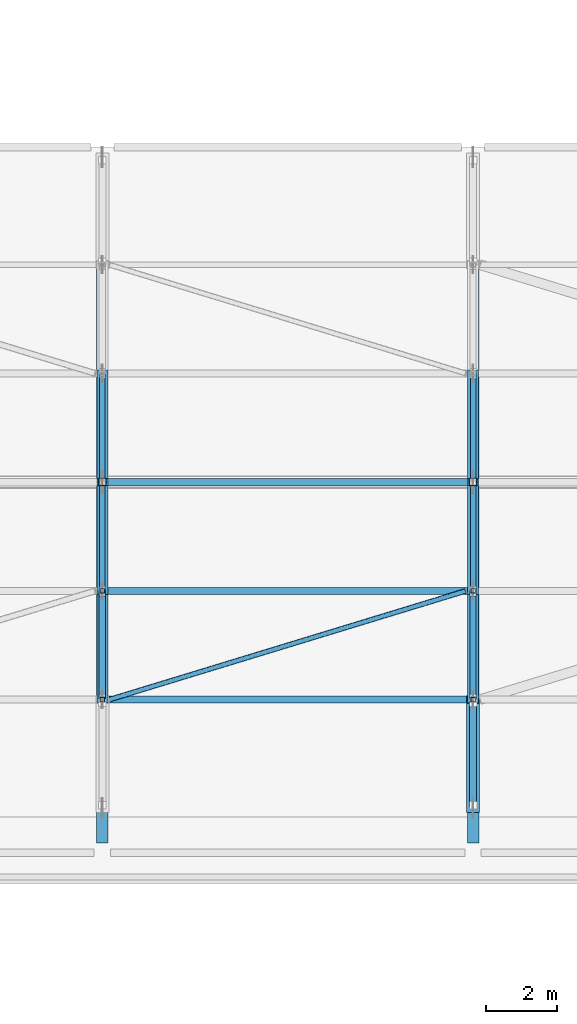
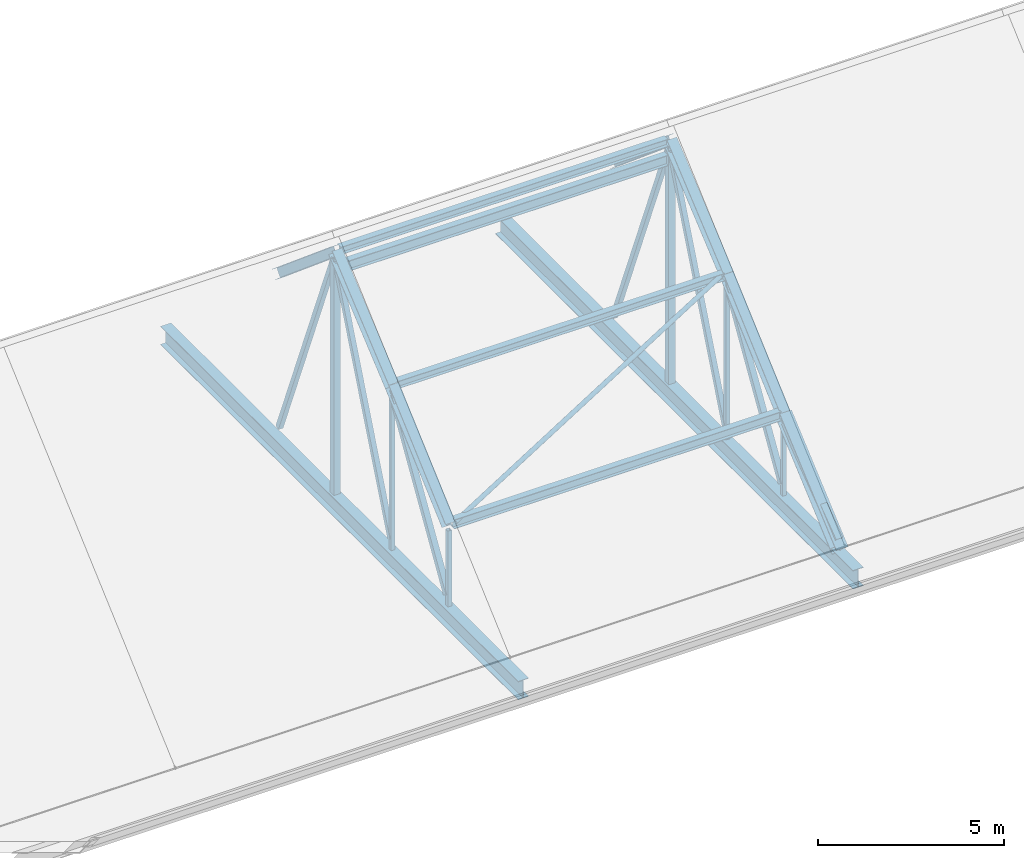
# One storey, part 18 of 86: 22 members, 5 beams.
"""IFC4 building model written with IfcOpenShell, lengths in metres."""

from ifc_helpers import new_model, si_unit, derived_unit, direction, frame, origin, origin_2d, place, context, subcontext, project, spatial, hollow_rectangle, hollow_circle, i_section, extrude, material, material_profile, profile_set, type_object, element, save


model = new_model("IFC4")

# Units and contexts
model_context = context("Model", 3, precision=1e-05, world=origin(), true_north=direction((0.0, 1.0)))
body_context = subcontext(model_context, "Body", "Model", "MODEL_VIEW")
ifc_project = project(units=[si_unit("LENGTHUNIT", "METRE"), si_unit("AREAUNIT", "SQUARE_METRE"), si_unit("VOLUMEUNIT", "CUBIC_METRE"), si_unit("PLANEANGLEUNIT", "RADIAN"), si_unit("MASSUNIT", "GRAM", prefix="KILO"), derived_unit("THERMALTRANSMITTANCEUNIT", [(si_unit("POWERUNIT", "WATT"), 1), (si_unit("LENGTHUNIT", "METRE"), -2), (si_unit("THERMODYNAMICTEMPERATUREUNIT", "KELVIN"), -1)])], contexts=[model_context])

# Site, building, storey
site_placement = place(None, origin())
site = spatial("IfcSite", under=ifc_project, at=site_placement, CompositionType="ELEMENT")
building_placement = place(site_placement, origin())
building = spatial("IfcBuilding", under=site, at=building_placement, Name="Braskholm Square Health Centre", CompositionType="ELEMENT")
storey_placement = place(building_placement, frame((0.0, 0.0, 13.5)))
storey = spatial("IfcBuildingStorey", under=building, at=storey_placement, Name="L04", CompositionType="ELEMENT", Elevation=13.5)

# Beams
ifc_material_1 = material(Name="Steel ASTM A992 Grade 50", Category="steel")
ifc_material_profile_1 = material_profile(ifc_material_1, i_section(OverallWidth=0.201904296875, OverallDepth=0.2470703125, WebThickness=0.00732421875, FlangeThickness=0.010986328125, at=origin_2d()), Name="W10X33")
ifc_profile_set_1 = profile_set([ifc_material_profile_1], Name="Steel ASTM A992 Grade 50")
beam_type_1 = type_object("IfcBeamType", Name="RoofPurlinJoistW10X33", PredefinedType="JOIST", material=ifc_profile_set_1)
for number, where, z_axis, x_axis, name in (
    (1, (68.52001953125, 94.550048828125, 5.12109375), (1.0, 0.0, 0.0), (0.0, 1.0, 0.0), "ROOF TRUSS purlin joist 012"),
    (2, (68.52001953125, 97.60009765625, 7.679931640625), (1.0, 0.0, 0.0), (0.0, 1.0, 0.0), "ROOF TRUSS purlin joist 013"),
):
    element("IfcBeam", number, at=place(storey_placement, frame(where, z_axis=z_axis, x_axis=x_axis)), inside=storey, type_object=beam_type_1, Name=name, PredefinedType="JOIST", context=body_context, shape_type="SweptSolid", body=[
        extrude(i_section(OverallWidth=0.201904296875, OverallDepth=0.2470703125, WebThickness=0.00732421875, FlangeThickness=0.010986328125, at=origin_2d()), origin(), (0.0, 0.0, 1.0), 10.159912109375),
    ])
ifc_material_profile_2 = material_profile(ifc_material_1, i_section(OverallWidth=0.202880859375, OverallDepth=0.302978515625, WebThickness=0.007568359375, FlangeThickness=0.01318359375, at=origin_2d()), Name="W12X40")
ifc_profile_set_2 = profile_set([ifc_material_profile_2], Name="Steel ASTM A992 Grade 50")
beam_type_2 = type_object("IfcBeamType", Name="RoofPurlinJoistW12X40", PredefinedType="JOIST", material=ifc_profile_set_2)
beam_placement = place(storey_placement, frame((68.52001953125, 91.5, 2.402099609375), z_axis=(1.0, 0.0, 0.0), x_axis=(0.0, 1.0, 0.0)))
element("IfcBeam", 3, at=beam_placement, inside=storey, type_object=beam_type_2, Name="ROOF TRUSS purlin joist 011", PredefinedType="JOIST", context=body_context, shape_type="SweptSolid", body=[
    extrude(i_section(OverallWidth=0.202880859375, OverallDepth=0.302978515625, WebThickness=0.007568359375, FlangeThickness=0.01318359375, at=origin_2d()), origin(), (0.0, 0.0, 1.0), 10.159912109375),
])

# Member
ifc_material_2 = material(Name="Steel ASTM A500 Grade C", Category="steel")
ifc_material_profile_3 = material_profile(ifc_material_2, hollow_circle(Radius=0.070556640625, WallThickness=0.006103515625, at=origin_2d()), Name="HSS5.563X0.258")
ifc_profile_set_3 = profile_set([ifc_material_profile_3], Name="Steel ASTM A500 Grade C")
member_type_1 = type_object("IfcMemberType", Name="RoofSwayBraceCHS141", PredefinedType="BRACE", material=ifc_profile_set_3)
member_1_placement = place(storey_placement, frame((68.60009765625, 91.5, 2.402099609375), z_axis=(0.925704815743, 0.282344488845, 0.251698596995), x_axis=(-0.291736758099, 0.956498648182, 0.0)))
element("IfcMember", 4, at=member_1_placement, inside=storey, type_object=member_type_1, Name="ROOF TRUSS slope brace South Bay 3", PredefinedType="BRACE", context=body_context, shape_type="SweptSolid", body=[
    extrude(hollow_circle(Radius=0.070556640625, WallThickness=0.006103515625, at=origin_2d()), origin(), (0.0, 0.0, 1.0), 10.802490234375),
])

# Beams
ifc_material_profile_4 = material_profile(ifc_material_1, i_section(OverallWidth=0.323974609375, OverallDepth=0.612060546875, WebThickness=0.0126953125, FlangeThickness=0.01904296875, at=origin_2d()), Name="W24X104")
ifc_profile_set_4 = profile_set([ifc_material_profile_4], Name="Steel ASTM A992 Grade 50")
beam_type_3 = type_object("IfcBeamType", Name="SteelGirderHallTieW24X104", PredefinedType="BEAM", material=ifc_profile_set_4)
for number, where, z_axis, x_axis, name in (
    (5, (68.39990234375, 87.47998046875, -0.580078125), (0.0, 1.0, 0.0), (-1.0, 0.0, 0.0), "ROOF TRUSS tie girder TR-03"),
    (6, (78.800048828125, 87.47998046875, -0.580078125), (0.0, 1.0, 0.0), (-1.0, 0.0, 0.0), "ROOF TRUSS tie girder TR-04"),
):
    element("IfcBeam", number, at=place(storey_placement, frame(where, z_axis=z_axis, x_axis=x_axis)), inside=storey, type_object=beam_type_3, Name=name, PredefinedType="BEAM", context=body_context, shape_type="SweptSolid", body=[
        extrude(i_section(OverallWidth=0.323974609375, OverallDepth=0.612060546875, WebThickness=0.0126953125, FlangeThickness=0.01904296875, at=origin_2d()), origin(), (0.0, 0.0, 1.0), 19.239990234375),
    ])

# Members
ifc_material_profile_5 = material_profile(ifc_material_1, i_section(OverallWidth=0.2041015625, OverallDepth=0.35009765625, WebThickness=0.008544921875, FlangeThickness=0.01513671875, at=origin_2d()), Name="W14X48")
ifc_profile_set_5 = profile_set([ifc_material_profile_5], Name="Steel ASTM A992 Grade 50")
member_type_2 = type_object("IfcMemberType", Name="TrussBottomChordW14X48", PredefinedType="CHORD", material=ifc_profile_set_5)
member_2_placement = place(storey_placement, frame((68.52001953125, 97.60009765625, 7.10009765625), z_axis=(1.0, 0.0, 0.0), x_axis=(0.0, 1.0, 0.0)))
element("IfcMember", 7, at=member_2_placement, inside=storey, type_object=member_type_2, Name="ROOF TRUSS ridge tie strut Bay 3", PredefinedType="CHORD", context=body_context, shape_type="SweptSolid", body=[
    extrude(i_section(OverallWidth=0.2041015625, OverallDepth=0.35009765625, WebThickness=0.008544921875, FlangeThickness=0.01513671875, at=origin_2d()), origin(), (0.0, 0.0, 1.0), 10.159912109375),
])
ifc_material_profile_6 = material_profile(ifc_material_2, hollow_rectangle(XDim=0.15234375, YDim=0.15234375, WallThickness=0.0087890625, at=origin_2d()), Name="HSS6X6X3/8")
ifc_profile_set_6 = profile_set([ifc_material_profile_6], Name="Steel ASTM A500 Grade C")
member_type_3 = type_object("IfcMemberType", Name="TrussCenterDiagHSS6X6", PredefinedType="BRACE", material=ifc_profile_set_6)
for number, where, z_axis, x_axis, name in (
    (8, (68.39990234375, 94.594970703125, 0.071044921875), (0.0, 0.374971294581, 0.927036422284), (-1.0, 0.0, 0.0), "ROOF TRUSS diagonal web TR-03-D3"),
    (9, (68.39990234375, 100.60498046875, 0.071044921875), (0.0, -0.374971294581, 0.927036422284), (1.0, 0.0, 0.0), "ROOF TRUSS diagonal web TR-03-D4"),
    (10, (78.800048828125, 94.594970703125, 0.071044921875), (0.0, 0.374971294581, 0.927036422284), (-1.0, 0.0, 0.0), "ROOF TRUSS diagonal web TR-04-D3"),
    (11, (78.800048828125, 100.60498046875, 0.071044921875), (0.0, -0.374971294581, 0.927036422284), (1.0, 0.0, 0.0), "ROOF TRUSS diagonal web TR-04-D4"),
):
    element("IfcMember", number, at=place(storey_placement, frame(where, z_axis=z_axis, x_axis=x_axis)), inside=storey, type_object=member_type_3, Name=name, PredefinedType="BRACE", context=body_context, shape_type="SweptSolid", body=[
        extrude(hollow_rectangle(XDim=0.15234375, YDim=0.15234375, WallThickness=0.0087890625, at=origin_2d()), origin(), (0.0, 0.0, 1.0), 7.893798828125),
    ])
ifc_material_profile_7 = material_profile(ifc_material_1, i_section(OverallWidth=0.304931640625, OverallDepth=0.306884765625, WebThickness=0.010009765625, FlangeThickness=0.015380859375, at=origin_2d()), Name="W12X65")
ifc_profile_set_7 = profile_set([ifc_material_profile_7], Name="Steel ASTM A992 Grade 50")
member_type_4 = type_object("IfcMemberType", Name="TrussHipChordW12X65", PredefinedType="CHORD", material=ifc_profile_set_7)
member_3_placement = place(storey_placement, frame((68.39990234375, 91.5, 2.382080078125), z_axis=(0.0, 0.746426169494, 0.665468236278), x_axis=(-1.0, 0.0, 0.0)))
element("IfcMember", 12, at=member_3_placement, inside=storey, type_object=member_type_4, Name="ROOF TRUSS top chord TR-03-2", PredefinedType="CHORD", context=body_context, shape_type="SweptSolid", body=[
    extrude(i_section(OverallWidth=0.304931640625, OverallDepth=0.306884765625, WebThickness=0.010009765625, FlangeThickness=0.015380859375, at=origin_2d()), origin(), (0.0, 0.0, 1.0), 4.086181640625),
])
member_4_placement = place(storey_placement, frame((68.39990234375, 94.550048828125, 5.101318359375), z_axis=(0.0, 0.766131151452, 0.642684260563), x_axis=(-1.0, 0.0, 0.0)))
element("IfcMember", 13, at=member_4_placement, inside=storey, type_object=member_type_4, Name="ROOF TRUSS top chord TR-03-3", PredefinedType="CHORD", context=body_context, shape_type="SweptSolid", body=[
    extrude(i_section(OverallWidth=0.304931640625, OverallDepth=0.306884765625, WebThickness=0.010009765625, FlangeThickness=0.015380859375, at=origin_2d()), origin(), (0.0, 0.0, 1.0), 3.981201171875),
])
member_5_placement = place(storey_placement, frame((68.39990234375, 97.60009765625, 7.659912109375), z_axis=(0.0, 0.766105819869, -0.642714456631), x_axis=(-1.0, 0.0, 0.0)))
element("IfcMember", 14, at=member_5_placement, inside=storey, type_object=member_type_4, Name="ROOF TRUSS top chord TR-03-4", PredefinedType="CHORD", context=body_context, shape_type="SweptSolid", body=[
    extrude(i_section(OverallWidth=0.304931640625, OverallDepth=0.306884765625, WebThickness=0.010009765625, FlangeThickness=0.015380859375, at=origin_2d()), origin(), (0.0, 0.0, 1.0), 3.98095703125),
])
member_6_placement = place(storey_placement, frame((78.800048828125, 91.5, 2.382080078125), z_axis=(0.0, 0.746426169494, 0.665468236278), x_axis=(-1.0, 0.0, 0.0)))
element("IfcMember", 15, at=member_6_placement, inside=storey, type_object=member_type_4, Name="ROOF TRUSS top chord TR-04-2", PredefinedType="CHORD", context=body_context, shape_type="SweptSolid", body=[
    extrude(i_section(OverallWidth=0.304931640625, OverallDepth=0.306884765625, WebThickness=0.010009765625, FlangeThickness=0.015380859375, at=origin_2d()), origin(), (0.0, 0.0, 1.0), 4.086181640625),
])
member_7_placement = place(storey_placement, frame((78.800048828125, 94.550048828125, 5.101318359375), z_axis=(0.0, 0.766131151452, 0.642684260563), x_axis=(-1.0, 0.0, 0.0)))
element("IfcMember", 16, at=member_7_placement, inside=storey, type_object=member_type_4, Name="ROOF TRUSS top chord TR-04-3", PredefinedType="CHORD", context=body_context, shape_type="SweptSolid", body=[
    extrude(i_section(OverallWidth=0.304931640625, OverallDepth=0.306884765625, WebThickness=0.010009765625, FlangeThickness=0.015380859375, at=origin_2d()), origin(), (0.0, 0.0, 1.0), 3.981201171875),
])
member_8_placement = place(storey_placement, frame((78.800048828125, 97.60009765625, 7.659912109375), z_axis=(0.0, 0.766105819869, -0.642714456631), x_axis=(-1.0, 0.0, 0.0)))
element("IfcMember", 17, at=member_8_placement, inside=storey, type_object=member_type_4, Name="ROOF TRUSS top chord TR-04-4", PredefinedType="CHORD", context=body_context, shape_type="SweptSolid", body=[
    extrude(i_section(OverallWidth=0.304931640625, OverallDepth=0.306884765625, WebThickness=0.010009765625, FlangeThickness=0.015380859375, at=origin_2d()), origin(), (0.0, 0.0, 1.0), 3.98095703125),
])
ifc_material_profile_8 = material_profile(ifc_material_2, hollow_rectangle(XDim=0.177734375, YDim=0.177734375, WallThickness=0.0087890625, at=origin_2d()), Name="HSS7X7X3/8")
ifc_profile_set_8 = profile_set([ifc_material_profile_8], Name="Steel ASTM A500 Grade C")
member_type_5 = type_object("IfcMemberType", Name="TrussInnerDiagHSS7X7", PredefinedType="BRACE", material=ifc_profile_set_8)
for number, where, z_axis, x_axis, name in (
    (18, (68.39990234375, 91.56298828125, 0.06201171875), (0.0, 0.522065213128, 0.852905571117), (-1.0, 0.0, 0.0), "ROOF TRUSS diagonal web TR-03-D2"),
    (19, (78.800048828125, 91.56298828125, 0.06201171875), (0.0, 0.522065213128, 0.852905571117), (-1.0, 0.0, 0.0), "ROOF TRUSS diagonal web TR-04-D2"),
):
    element("IfcMember", number, at=place(storey_placement, frame(where, z_axis=z_axis, x_axis=x_axis)), inside=storey, type_object=member_type_5, Name=name, PredefinedType="BRACE", context=body_context, shape_type="SweptSolid", body=[
        extrude(hollow_rectangle(XDim=0.177734375, YDim=0.177734375, WallThickness=0.0087890625, at=origin_2d()), origin(), (0.0, 0.0, 1.0), 5.60107421875),
    ])
ifc_material_profile_9 = material_profile(ifc_material_2, hollow_rectangle(XDim=0.203125, YDim=0.203125, WallThickness=0.01171875, at=origin_2d()), Name="HSS8X8X1/2")
ifc_profile_set_9 = profile_set([ifc_material_profile_9], Name="Steel ASTM A500 Grade C")
member_type_6 = type_object("IfcMemberType", Name="TrussOuterDiagHSS8X8X12", PredefinedType="BRACE", material=ifc_profile_set_9)
member_9_placement = place(storey_placement, frame((78.800048828125, 88.5458984375, 0.031005859375), z_axis=(0.0, 0.803191214474, 0.595721304799), x_axis=(-1.0, 0.0, 0.0)))
element("IfcMember", 20, at=member_9_placement, inside=storey, type_object=member_type_6, Name="ROOF TRUSS diagonal web TR-04-D1", PredefinedType="BRACE", context=body_context, shape_type="SweptSolid", body=[
    extrude(hollow_rectangle(XDim=0.203125, YDim=0.203125, WallThickness=0.01171875, at=origin_2d()), origin(), (0.0, 0.0, 1.0), 3.55859375),
])
ifc_material_profile_10 = material_profile(ifc_material_1, i_section(OverallWidth=0.368896484375, OverallDepth=0.35595703125, WebThickness=0.01123046875, FlangeThickness=0.01806640625, at=origin_2d()), Name="W14X90")
ifc_profile_set_10 = profile_set([ifc_material_profile_10], Name="Steel ASTM A992 Grade 50")
member_type_7 = type_object("IfcMemberType", Name="TrussTopChordW14X90", PredefinedType="CHORD", material=ifc_profile_set_10)
member_10_placement = place(storey_placement, frame((78.800048828125, 88.449951171875, -0.260009765625), z_axis=(0.0, 0.755846764348, 0.654748553892), x_axis=(-1.0, 0.0, 0.0)))
element("IfcMember", 21, at=member_10_placement, inside=storey, type_object=member_type_7, Name="ROOF TRUSS top chord TR-04-1", PredefinedType="CHORD", context=body_context, shape_type="SweptSolid", body=[
    extrude(i_section(OverallWidth=0.368896484375, OverallDepth=0.35595703125, WebThickness=0.01123046875, FlangeThickness=0.01806640625, at=origin_2d()), origin(), (0.0, 0.0, 1.0), 4.03515625),
])
ifc_material_profile_11 = material_profile(ifc_material_2, hollow_rectangle(XDim=0.126953125, YDim=0.126953125, WallThickness=0.00732421875, at=origin_2d()), Name="HSS5X5X5/16")
ifc_profile_set_11 = profile_set([ifc_material_profile_11], Name="Steel ASTM A500 Grade C")
member_type_8 = type_object("IfcMemberType", Name="TrussVerticalStrutHSS5X5", PredefinedType="STRUT", material=ifc_profile_set_11)
member_11_placement = place(storey_placement, frame((68.39990234375, 91.5, -0.27001953125), z_axis=(0.0, 0.0, 1.0), x_axis=(1.0, 0.0, 0.0)))
element("IfcMember", 22, at=member_11_placement, inside=storey, type_object=member_type_8, Name="ROOF TRUSS vertical strut TR-03-V1", PredefinedType="STRUT", context=body_context, shape_type="SweptSolid", body=[
    extrude(hollow_rectangle(XDim=0.126953125, YDim=0.126953125, WallThickness=0.00732421875, at=origin_2d()), origin(), (0.0, 0.0, 1.0), 2.4921875),
])
member_12_placement = place(storey_placement, frame((68.39990234375, 94.550048828125, -0.27001953125), z_axis=(0.0, 0.0, 1.0), x_axis=(1.0, 0.0, 0.0)))
element("IfcMember", 23, at=member_12_placement, inside=storey, type_object=member_type_8, Name="ROOF TRUSS vertical strut TR-03-V2", PredefinedType="STRUT", context=body_context, shape_type="SweptSolid", body=[
    extrude(hollow_rectangle(XDim=0.126953125, YDim=0.126953125, WallThickness=0.00732421875, at=origin_2d()), origin(), (0.0, 0.0, 1.0), 5.21142578125),
])
member_13_placement = place(storey_placement, frame((78.800048828125, 91.5, -0.27001953125), z_axis=(0.0, 0.0, 1.0), x_axis=(1.0, 0.0, 0.0)))
element("IfcMember", 24, at=member_13_placement, inside=storey, type_object=member_type_8, Name="ROOF TRUSS vertical strut TR-04-V1", PredefinedType="STRUT", context=body_context, shape_type="SweptSolid", body=[
    extrude(hollow_rectangle(XDim=0.126953125, YDim=0.126953125, WallThickness=0.00732421875, at=origin_2d()), origin(), (0.0, 0.0, 1.0), 2.4921875),
])
member_14_placement = place(storey_placement, frame((78.800048828125, 94.550048828125, -0.27001953125), z_axis=(0.0, 0.0, 1.0), x_axis=(1.0, 0.0, 0.0)))
element("IfcMember", 25, at=member_14_placement, inside=storey, type_object=member_type_8, Name="ROOF TRUSS vertical strut TR-04-V2", PredefinedType="STRUT", context=body_context, shape_type="SweptSolid", body=[
    extrude(hollow_rectangle(XDim=0.126953125, YDim=0.126953125, WallThickness=0.00732421875, at=origin_2d()), origin(), (0.0, 0.0, 1.0), 5.21142578125),
])
ifc_material_profile_12 = material_profile(ifc_material_2, hollow_rectangle(XDim=0.203125, YDim=0.203125, WallThickness=0.0087890625, at=origin_2d()), Name="HSS8X8X3/8")
ifc_profile_set_12 = profile_set([ifc_material_profile_12], Name="Steel ASTM A500 Grade C")
member_type_9 = type_object("IfcMemberType", Name="TrussVerticalStrutHSS8X8", PredefinedType="STRUT", material=ifc_profile_set_12)
for number, where, z_axis, x_axis, name in (
    (26, (68.39990234375, 97.60009765625, -0.27001953125), (0.0, 0.0, 1.0), (1.0, 0.0, 0.0), "ROOF TRUSS vertical strut TR-03-V3"),
    (27, (78.800048828125, 97.60009765625, -0.27001953125), (0.0, 0.0, 1.0), (1.0, 0.0, 0.0), "ROOF TRUSS vertical strut TR-04-V3"),
):
    element("IfcMember", number, at=place(storey_placement, frame(where, z_axis=z_axis, x_axis=x_axis)), inside=storey, type_object=member_type_9, Name=name, PredefinedType="STRUT", context=body_context, shape_type="SweptSolid", body=[
        extrude(hollow_rectangle(XDim=0.203125, YDim=0.203125, WallThickness=0.0087890625, at=origin_2d()), origin(), (0.0, 0.0, 1.0), 7.77001953125),
    ])

save(model, "model.ifc")
